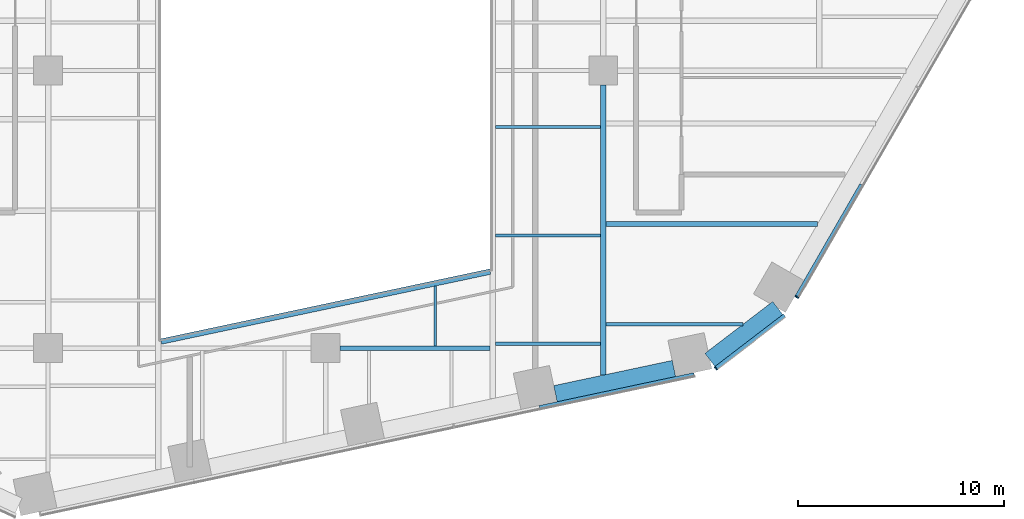
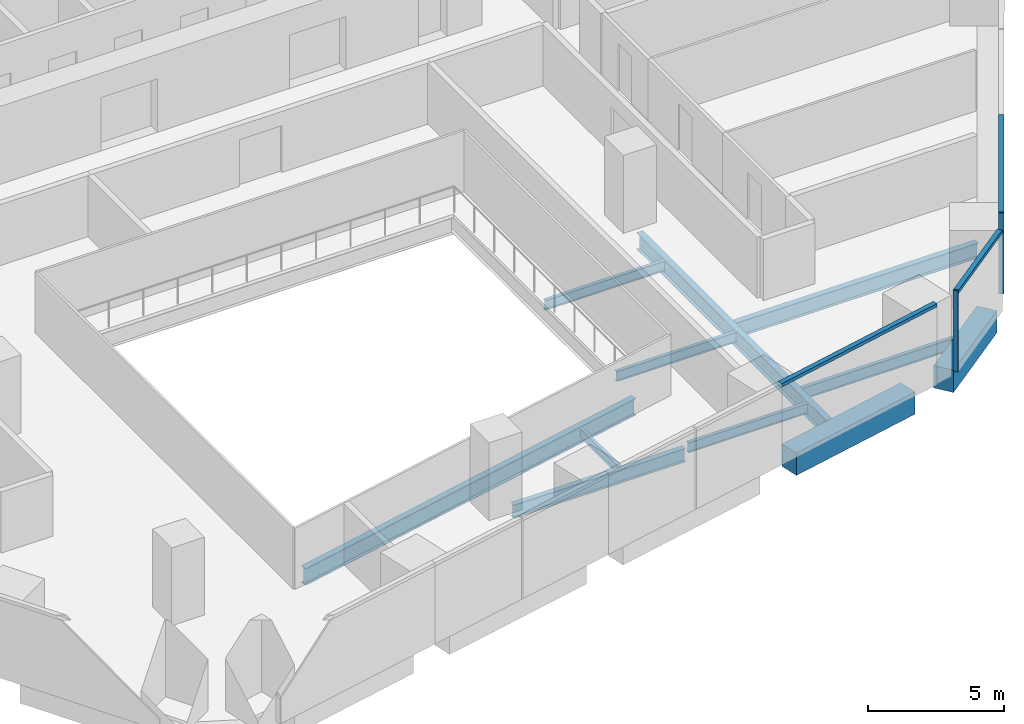
# One storey, part 5 of 20: 11 beams, 5 members, 3 elements without a shape of their own.
"""IFC4 building model written with IfcOpenShell, lengths in metres."""

import ifcopenshell
import ifcopenshell.guid

model = None  # the IFC model being written
_history = None  # IfcOwnerHistory: only IFC2X3 demands one
_inside = {}  # id of a spatial element -> (the spatial element, [elements in it])
_under = {}  # id of a project, library or spatial element -> (it, [spatial elements below it])
_declared = {}  # id of a project -> (the project, [libraries it declares])
_typed = {}  # id of a type object -> (the type object, [elements of that type])
_made_of = {}  # id of a material, layer set ... -> (it, [elements and type objects made of it])


def new_model(schema):
    """Start an empty IFC model of exactly this schema.

    Asked for "IFC4X3", IfcOpenShell would pick the latest addendum, in which some entities
    have other attributes; the version numbers below select the first issue.
    IFC2X3 requires an IfcOwnerHistory on every rooted entity: one is made here for all.
    """
    global model, _history
    if schema == "IFC4X3":
        model = ifcopenshell.file(schema_version=(4, 3, 0, 0))
    else:
        model = ifcopenshell.file(schema=schema)
    _inside.clear()
    _under.clear()
    _declared.clear()
    _typed.clear()
    _made_of.clear()
    _history = None
    if model.schema == "IFC2X3":
        org = make("IfcOrganization", Name="unknown")
        user = make(
            "IfcPersonAndOrganization",
            ThePerson=make("IfcPerson", FamilyName="unknown"),
            TheOrganization=org,
        )
        app = make(
            "IfcApplication",
            ApplicationDeveloper=org,
            Version="unknown",
            ApplicationFullName="unknown",
            ApplicationIdentifier="unknown",
        )
        _history = make(
            "IfcOwnerHistory",
            OwningUser=user,
            OwningApplication=app,
            ChangeAction="ADDED",
            CreationDate=0,
        )
    return model


def make(cls, **values):
    """One entity of the class cls with the attributes given. An attribute that is None is left unset."""
    return model.create_entity(
        cls, **{name: value for name, value in values.items() if value is not None}
    )


def rooted(cls, **values):
    """An entity with a GlobalId (a new one), such as an element, a storey or a relation."""
    return make(cls, GlobalId=ifcopenshell.guid.new(), OwnerHistory=_history, **values)


def si_unit(unit_type, name, prefix=None):
    """IfcSIUnit, for example si_unit("LENGTHUNIT", "METRE", prefix="MILLI")."""
    return make("IfcSIUnit", UnitType=unit_type, Prefix=prefix, Name=name)


def assignment(units):
    """IfcUnitAssignment: the units of a project."""
    return None if units is None else make("IfcUnitAssignment", Units=units)


def point(xyz):
    """IfcCartesianPoint."""
    return None if xyz is None else make("IfcCartesianPoint", Coordinates=xyz)


def direction(xyz):
    """IfcDirection."""
    return None if xyz is None else make("IfcDirection", DirectionRatios=xyz)


def frame(location, z_axis=None, x_axis=None):
    """IfcAxis2Placement3D, a coordinate frame: its origin and axes. An axis left out is left unset."""
    return make(
        "IfcAxis2Placement3D",
        Location=point(location),
        Axis=direction(z_axis),
        RefDirection=direction(x_axis),
    )


def frame_2d(location, x_axis=None):
    """IfcAxis2Placement2D, a coordinate frame in the plane: its origin and x axis."""
    return make(
        "IfcAxis2Placement2D", Location=point(location), RefDirection=direction(x_axis)
    )


def origin():
    """The frame at (0, 0, 0) with its axes left unset."""
    return frame((0.0, 0.0, 0.0))


def origin_2d():
    """The frame at (0, 0) in the plane with its x axis left unset."""
    return frame_2d((0.0, 0.0))


def place(relative_to, where):
    """IfcLocalPlacement: puts the frame where relative to a parent placement (None: the world)."""
    return make(
        "IfcLocalPlacement", PlacementRelTo=relative_to, RelativePlacement=where
    )


def context(
    kind, dimensions, precision=None, world=None, true_north=None, identifier=None
):
    """IfcGeometricRepresentationContext, for example the 3D "Model" context."""
    return make(
        "IfcGeometricRepresentationContext",
        ContextIdentifier=identifier,
        ContextType=kind,
        CoordinateSpaceDimension=dimensions,
        Precision=precision,
        WorldCoordinateSystem=world,
        TrueNorth=true_north,
    )


def subcontext(parent, identifier, kind, view, scale=None):
    """IfcGeometricRepresentationSubContext, for example "Body" below "Model"."""
    return make(
        "IfcGeometricRepresentationSubContext",
        ContextIdentifier=identifier,
        ContextType=kind,
        ParentContext=parent,
        TargetScale=scale,
        TargetView=view,
    )


def project(units=None, contexts=None):
    """IfcProject with its units and contexts."""
    return rooted(
        "IfcProject",
        Name="project",
        RepresentationContexts=contexts,
        UnitsInContext=assignment(units),
    )


def spatial(cls, under=None, at=None, **own):
    """A site, building, storey or space (cls), placed at a placement, below another one or the project."""
    s = rooted(cls, ObjectPlacement=at, **own)
    if under is not None:
        _under.setdefault(under.id(), (under, []))[1].append(s)
    return s


def profile(cls, at=None, kind="AREA", **sizes):
    """A parametric profile (cls). Its sizes go by their IFC names, for example OverallWidth=200.0."""
    return make(cls, ProfileType=kind, Position=at, **sizes)


def rectangle(**sizes):
    """IfcRectangleProfileDef."""
    return profile("IfcRectangleProfileDef", **sizes)


def i_section(**sizes):
    """IfcIShapeProfileDef."""
    return profile("IfcIShapeProfileDef", **sizes)


def extrude(swept, where, along, depth):
    """IfcExtrudedAreaSolid: the profile swept, set in the frame where, extruded along a direction by depth."""
    return make(
        "IfcExtrudedAreaSolid",
        SweptArea=swept,
        Position=where,
        ExtrudedDirection=direction(along),
        Depth=depth,
    )


def shape(context_of_items, identifier, shape_type, items):
    """IfcShapeRepresentation: the items that make up one representation, for example the "Body"."""
    return make(
        "IfcShapeRepresentation",
        ContextOfItems=context_of_items,
        RepresentationIdentifier=identifier,
        RepresentationType=shape_type,
        Items=items,
    )


def material(Name=None, Category=None):
    """IfcMaterial."""
    return make("IfcMaterial", Name=Name, Category=Category)


def layer(
    of_material, thickness, ventilated=None, Name=None, Category=None, Priority=None
):
    """IfcMaterialLayer: one layer of a wall or slab, of a material (None: an air gap)."""
    return make(
        "IfcMaterialLayer",
        Material=of_material,
        LayerThickness=thickness,
        IsVentilated=ventilated,
        Name=Name,
        Category=Category,
        Priority=Priority,
    )


def layer_set(layers, Name=None):
    """IfcMaterialLayerSet."""
    return make("IfcMaterialLayerSet", MaterialLayers=layers, LayerSetName=Name)


def material_profile(
    of_material, cross_section, Name=None, Category=None, Priority=None
):
    """IfcMaterialProfile: a cross section and its material."""
    return make(
        "IfcMaterialProfile",
        Name=Name,
        Material=of_material,
        Profile=cross_section,
        Priority=Priority,
        Category=Category,
    )


def profile_set(profiles, Name=None, composite=None):
    """IfcMaterialProfileSet."""
    return make(
        "IfcMaterialProfileSet",
        Name=Name,
        MaterialProfiles=profiles,
        CompositeProfile=composite,
    )


def made_of(thing, what):
    """Note that an element or type object is made of a material, layer set ...; save() writes the relation."""
    if what is not None:
        _made_of.setdefault(what.id(), (what, []))[1].append(thing)
    return thing


def type_object(cls, material=None, **own):
    """A type object (cls), such as IfcWallType, which elements share."""
    return made_of(rooted(cls, **own), material)


def element(
    cls,
    number,
    at=None,
    inside=None,
    cuts=None,
    type_object=None,
    material=None,
    context=None,
    identifier="Body",
    shape_type=None,
    held_by="IfcProductDefinitionShape",
    body=None,
    shapes=None,
    **own,
):
    """One element of the class cls, such as IfcWall. Its Tag is "e" and its number.

    at: its placement. inside: the storey or other place that contains it. cuts: it is an
    opening in that element (IfcRelVoidsElement). A single representation is given by context,
    identifier, shape_type and body (its items); several are given by shapes. held_by: the class
    of the entity that holds the representations. save() writes the other relations.
    """
    e = rooted(cls, Tag="e%d" % number, ObjectPlacement=at, **own)
    if body is not None:
        shapes = [shape(context, identifier, shape_type, body)]
    if shapes is not None:
        e.Representation = make(held_by, Representations=shapes)
    if inside is not None:
        _inside.setdefault(inside.id(), (inside, []))[1].append(e)
    if cuts is not None:
        rooted(
            "IfcRelVoidsElement", RelatingBuildingElement=cuts, RelatedOpeningElement=e
        )
    if type_object is not None:
        _typed.setdefault(type_object.id(), (type_object, []))[1].append(e)
    return made_of(e, material)


def aggregate(whole, parts):
    """IfcRelAggregates: a whole, such as a stair, and the parts it consists of."""
    return rooted("IfcRelAggregates", RelatingObject=whole, RelatedObjects=parts)


def save(model, path):
    """Write the relations noted so far, then the file.

    IfcRelAggregates (storeys below a building ...), IfcRelContainedInSpatialStructure (elements
    in a storey), IfcRelDefinesByType, IfcRelAssociatesMaterial and IfcRelDeclares: one each for
    every whole, place, type object, material and project.
    """
    for whole, parts in _under.values():
        aggregate(whole, parts)
    for where, things in _inside.values():
        rooted(
            "IfcRelContainedInSpatialStructure",
            RelatedElements=things,
            RelatingStructure=where,
        )
    for kind, things in _typed.values():
        rooted("IfcRelDefinesByType", RelatedObjects=things, RelatingType=kind)
    for what, things in _made_of.values():
        rooted("IfcRelAssociatesMaterial", RelatedObjects=things, RelatingMaterial=what)
    for by, libraries in _declared.values():
        rooted("IfcRelDeclares", RelatingContext=by, RelatedDefinitions=libraries)
    model.write(path)


model = new_model("IFC4")

# Units and contexts
model_context = context("Model", 3, precision=1e-05, world=origin(), true_north=direction((0.0, 1.0)))
body_context = subcontext(model_context, "Body", "Model", "MODEL_VIEW")
ifc_project = project(units=[si_unit("LENGTHUNIT", "METRE"), si_unit("AREAUNIT", "SQUARE_METRE"), si_unit("VOLUMEUNIT", "CUBIC_METRE"), si_unit("PLANEANGLEUNIT", "RADIAN"), si_unit("MASSUNIT", "GRAM", prefix="KILO")], contexts=[model_context])

# Site, building, storey
site_placement = place(None, origin())
site = spatial("IfcSite", under=ifc_project, at=site_placement, CompositionType="ELEMENT")
building_placement = place(site_placement, origin())
building = spatial("IfcBuilding", under=site, at=building_placement, Name="Isthmus Gate Tower", CompositionType="ELEMENT")
storey_placement = place(building_placement, frame((0.0, 0.0, 61.550048828125)))
storey = spatial("IfcBuildingStorey", under=building, at=storey_placement, Name="L13", CompositionType="ELEMENT", Elevation=61.550048828125)

# Curtain wall, member
ifc_material_1 = material(Name="Aluminium, pale champagne anodised", Category="aluminium")
ifc_layer = layer(ifc_material_1, 0.199951171875)
ifc_layer_set = layer_set([ifc_layer], Name="CW-1 UNITISED CURTAIN WALL 200 DEEP")
curtain_wall_type = type_object("IfcCurtainWallType", Name="CW-1 UNITISED CURTAIN WALL 200 DEEP", PredefinedType="NOTDEFINED", material=ifc_layer_set)
curtain_wall_1_placement = place(storey_placement, origin())
curtain_wall_1 = element("IfcCurtainWall", 1, at=curtain_wall_1_placement, inside=storey, type_object=curtain_wall_type, Name="CW-1 S-SE L13", PredefinedType="NOTDEFINED")
ifc_material_2 = material(Name="Aluminium, pale champagne anodised", Category="aluminium")
ifc_material_profile_1 = material_profile(ifc_material_2, rectangle(XDim=0.06005859375, YDim=0.199951171875, at=origin_2d()), Name="60x200")
ifc_profile_set_1 = profile_set([ifc_material_profile_1], Name="Aluminium, pale champagne anodised")
member_type_1 = type_object("IfcMemberType", Name="CW-1 MULLION 60 X 200", PredefinedType="MULLION", material=ifc_profile_set_1)
member_1_placement = place(storey_placement, frame((18.978759765625, -27.982421875, 0.0), z_axis=(0.0, 0.0, 1.0), x_axis=(0.794188594387, 0.607671355706, 0.0)))
member_1 = element("IfcMember", 2, at=member_1_placement, type_object=member_type_1, Name="CW-1 mullion", PredefinedType="MULLION", context=body_context, shape_type="SweptSolid", body=[
    extrude(rectangle(XDim=0.06005859375, YDim=0.199951171875, at=origin_2d()), origin(), (0.0, 0.0, 1.0), 3.64990234375),
])

curtain_wall_2_placement = place(storey_placement, origin())
curtain_wall_2 = element("IfcCurtainWall", 3, at=curtain_wall_2_placement, inside=storey, type_object=curtain_wall_type, Name="CW-1 SE L13", PredefinedType="NOTDEFINED")
member_2_placement = place(storey_placement, frame((22.91357421875, -24.5126953125, 0.0), z_axis=(0.0, 0.0, 1.0), x_axis=(0.5, 0.866025403784, 0.0)))
member_2 = element("IfcMember", 4, at=member_2_placement, type_object=member_type_1, Name="CW-1 mullion", PredefinedType="MULLION", context=body_context, shape_type="SweptSolid", body=[
    extrude(rectangle(XDim=0.06005859375, YDim=0.199951171875, at=origin_2d()), origin(), (0.0, 0.0, 1.0), 3.64990234375),
])

curtain_wall_3_placement = place(storey_placement, origin())
curtain_wall_3 = element("IfcCurtainWall", 5, at=curtain_wall_3_placement, inside=storey, type_object=curtain_wall_type, Name="CW-1 S L13", PredefinedType="NOTDEFINED")
ifc_material_3 = material(Name="Aluminium, pale champagne anodised", Category="aluminium")
ifc_material_profile_2 = material_profile(ifc_material_3, rectangle(XDim=0.199951171875, YDim=0.14990234375, at=origin_2d()), Name="200x150")
ifc_profile_set_2 = profile_set([ifc_material_profile_2], Name="Aluminium, pale champagne anodised")
member_type_2 = type_object("IfcMemberType", Name="CW-1 TRANSOM 200 X 150", PredefinedType="USERDEFINED", material=ifc_profile_set_2)
member_3_placement = place(storey_placement, frame((10.400146484375, -29.8916015625, 3.574951171875), z_axis=(0.978149085817, 0.207904703929, 0.0), x_axis=(-0.207904703929, 0.978149085817, 0.0)))
member_3 = element("IfcMember", 6, at=member_3_placement, type_object=member_type_2, Name="CW-1 transom", ObjectType="TRANSOM", PredefinedType="USERDEFINED", context=body_context, shape_type="SweptSolid", body=[
    extrude(rectangle(XDim=0.199951171875, YDim=0.14990234375, at=origin_2d()), origin(), (0.0, 0.0, 1.0), 7.689208984375),
])
aggregate(curtain_wall_3, [member_3])

# Member
member_4_placement = place(storey_placement, frame((19.002685546875, -27.96435546875, 3.574951171875), z_axis=(0.794175498212, 0.607688471209, 0.0), x_axis=(-0.607688471209, 0.794175498212, 0.0)))
member_4 = element("IfcMember", 7, at=member_4_placement, type_object=member_type_2, Name="CW-1 transom", ObjectType="TRANSOM", PredefinedType="USERDEFINED", context=body_context, shape_type="SweptSolid", body=[
    extrude(rectangle(XDim=0.199951171875, YDim=0.14990234375, at=origin_2d()), origin(), (0.0, 0.0, 1.0), 4.181396484375),
])

aggregate(curtain_wall_1, [member_1, member_4])

member_5_placement = place(storey_placement, frame((22.928466796875, -24.486572265625, 3.574951171875), z_axis=(0.50002426866, 0.866011391814, 0.0), x_axis=(-0.866011391814, 0.50002426866, 0.0)))
member_5 = element("IfcMember", 8, at=member_5_placement, type_object=member_type_2, Name="CW-1 transom", ObjectType="TRANSOM", PredefinedType="USERDEFINED", context=body_context, shape_type="SweptSolid", body=[
    extrude(rectangle(XDim=0.199951171875, YDim=0.14990234375, at=origin_2d()), origin(), (0.0, 0.0, 1.0), 6.278564453125),
])

aggregate(curtain_wall_2, [member_2, member_5])

# Beams
ifc_material_4 = material(Name="Concrete f'c 70 MPa", Category="concrete")
ifc_material_profile_3 = material_profile(ifc_material_4, rectangle(XDim=0.800048828125, YDim=1.0, at=origin_2d()), Name="RC 800X1000")
ifc_profile_set_3 = profile_set([ifc_material_profile_3], Name="Concrete f'c 70 MPa")
beam_type_1 = type_object("IfcBeamType", Name="RC SPANDREL 800 X 1000", PredefinedType="SPANDREL", material=ifc_profile_set_3)
beam_1_placement = place(storey_placement, frame((21.98681640625, -25.051513671875, -0.5), z_axis=(-0.794205941875, -0.607648682949, 0.0), x_axis=(0.607648682949, -0.794205941875, 0.0)))
element("IfcBeam", 9, at=beam_1_placement, inside=storey, type_object=beam_type_1, Name="str-spandrel-L13-09", PredefinedType="SPANDREL", context=body_context, shape_type="SweptSolid", body=[
    extrude(rectangle(XDim=0.800048828125, YDim=1.0, at=origin_2d()), origin(), (0.0, 0.0, 1.0), 4.15234375),
])
beam_2_placement = place(storey_placement, frame((16.937255859375, -27.990966796875, -0.5), z_axis=(-0.97815168619, -0.207892469327, 0.0), x_axis=(0.207892469327, -0.97815168619, 0.0)))
element("IfcBeam", 10, at=beam_2_placement, inside=storey, type_object=beam_type_1, Name="str-spandrel-L13-10", PredefinedType="SPANDREL", context=body_context, shape_type="SweptSolid", body=[
    extrude(rectangle(XDim=0.800048828125, YDim=1.0, at=origin_2d()), origin(), (0.0, 0.0, 1.0), 5.889404296875),
])
ifc_material_5 = material(Name="Structural steel ASTM A992 Gr 50", Category="steel")
ifc_material_profile_4 = material_profile(ifc_material_5, i_section(OverallWidth=0.1396484375, OverallDepth=0.4033203125, WebThickness=0.00634765625, FlangeThickness=0.010986328125, at=origin_2d()), Name="W16X31")
ifc_profile_set_4 = profile_set([ifc_material_profile_4], Name="Structural steel ASTM A992 Gr 50")
beam_type_2 = type_object("IfcBeamType", Name="STEEL FLOOR BEAM W16X31", PredefinedType="JOIST", material=ifc_profile_set_4)
beam_3_placement = place(storey_placement, frame((5.333251953125, -26.8857421875, -0.3515625), z_axis=(0.0, 1.0, 0.0), x_axis=(-1.0, 0.0, 0.0)))
element("IfcBeam", 11, at=beam_3_placement, inside=storey, type_object=beam_type_2, Name="str-beam-L13-17-00", PredefinedType="JOIST", context=body_context, shape_type="SweptSolid", body=[
    extrude(i_section(OverallWidth=0.1396484375, OverallDepth=0.4033203125, WebThickness=0.00634765625, FlangeThickness=0.010986328125, at=origin_2d()), origin(), (0.0, 0.0, 1.0), 2.903076171875),
])
ifc_material_6 = material(Name="Structural steel ASTM A992 Gr 50", Category="steel")
ifc_material_profile_5 = material_profile(ifc_material_6, i_section(OverallWidth=0.15234375, OverallDepth=0.45068359375, WebThickness=0.0078125, FlangeThickness=0.010986328125, at=origin_2d()), Name="W18X35")
ifc_profile_set_5 = profile_set([ifc_material_profile_5], Name="Structural steel ASTM A992 Gr 50")
beam_type_3 = type_object("IfcBeamType", Name="STEEL FLOOR BEAM W18X35", PredefinedType="JOIST", material=ifc_profile_set_5)
for number, where, z_axis, x_axis, name in (
    (12, (8.263427734375, -26.788818359375, -0.37548828125), (1.0, 0.0, 0.0), (0.0, 1.0, 0.0), "str-beam-L13-22-00"),
    (13, (8.263427734375, -21.51513671875, -0.37548828125), (1.0, 0.0, 0.0), (0.0, 1.0, 0.0), "str-beam-L13-22-01"),
    (14, (8.263427734375, -16.241455078125, -0.37548828125), (1.0, 0.0, 0.0), (0.0, 1.0, 0.0), "str-beam-L13-22-02"),
):
    element("IfcBeam", number, at=place(storey_placement, frame(where, z_axis=z_axis, x_axis=x_axis)), inside=storey, type_object=beam_type_3, Name=name, PredefinedType="JOIST", context=body_context, shape_type="SweptSolid", body=[
        extrude(i_section(OverallWidth=0.15234375, OverallDepth=0.45068359375, WebThickness=0.0078125, FlangeThickness=0.010986328125, at=origin_2d()), origin(), (0.0, 0.0, 1.0), 5.103271484375),
    ])
ifc_material_7 = material(Name="Structural steel ASTM A992 Gr 50", Category="steel")
ifc_material_profile_6 = material_profile(ifc_material_7, i_section(OverallWidth=0.1650390625, OverallDepth=0.52392578125, WebThickness=0.009521484375, FlangeThickness=0.010986328125, at=origin_2d()), Name="W21X44")
ifc_profile_set_6 = profile_set([ifc_material_profile_6], Name="Structural steel ASTM A992 Gr 50")
beam_type_4 = type_object("IfcBeamType", Name="STEEL FLOOR BEAM W21X44", PredefinedType="JOIST", material=ifc_profile_set_6)
beam_4_placement = place(storey_placement, frame((13.63330078125, -25.842529296875, -0.412109375), z_axis=(1.0, 0.0, 0.0), x_axis=(0.0, 1.0, 0.0)))
element("IfcBeam", 15, at=beam_4_placement, inside=storey, type_object=beam_type_4, Name="str-beam-L13-28-00", PredefinedType="JOIST", context=body_context, shape_type="SweptSolid", body=[
    extrude(i_section(OverallWidth=0.1650390625, OverallDepth=0.52392578125, WebThickness=0.009521484375, FlangeThickness=0.010986328125, at=origin_2d()), origin(), (0.0, 0.0, 1.0), 6.661376953125),
])
ifc_material_8 = material(Name="Structural steel ASTM A992 Gr 50", Category="steel")
ifc_material_profile_7 = material_profile(ifc_material_8, i_section(OverallWidth=0.25390625, OverallDepth=0.679443359375, WebThickness=0.010986328125, FlangeThickness=0.015869140625, at=origin_2d()), Name="W27X84")
ifc_profile_set_7 = profile_set([ifc_material_profile_7], Name="Structural steel ASTM A992 Gr 50")
beam_type_5 = type_object("IfcBeamType", Name="STEEL FLOOR BEAM W27X84", PredefinedType="JOIST", material=ifc_profile_set_7)
beam_5_placement = place(storey_placement, frame((13.63330078125, -20.958740234375, -0.48974609375), z_axis=(1.0, 0.0, 0.0), x_axis=(0.0, 1.0, 0.0)))
element("IfcBeam", 16, at=beam_5_placement, inside=storey, type_object=beam_type_5, Name="str-beam-L13-28-01", PredefinedType="JOIST", context=body_context, shape_type="SweptSolid", body=[
    extrude(i_section(OverallWidth=0.25390625, OverallDepth=0.679443359375, WebThickness=0.010986328125, FlangeThickness=0.015869140625, at=origin_2d()), origin(), (0.0, 0.0, 1.0), 10.292724609375),
])
ifc_material_9 = material(Name="Structural steel ASTM A992 Gr 50", Category="steel")
ifc_material_profile_8 = material_profile(ifc_material_9, i_section(OverallWidth=0.228515625, OverallDepth=0.603271484375, WebThickness=0.010986328125, FlangeThickness=0.014404296875, at=origin_2d()), Name="W24X68")
ifc_profile_set_8 = profile_set([ifc_material_profile_8], Name="Structural steel ASTM A992 Gr 50")
beam_type_6 = type_object("IfcBeamType", Name="STEEL GIRDER W24X68", PredefinedType="BEAM", material=ifc_profile_set_8)
beam_6_placement = place(storey_placement, frame((0.699951171875, -27.0, -0.45166015625), z_axis=(1.0, 0.0, 0.0), x_axis=(0.0, 1.0, 0.0)))
element("IfcBeam", 17, at=beam_6_placement, inside=storey, type_object=beam_type_6, Name="str-girder-L13-04", PredefinedType="BEAM", context=body_context, shape_type="SweptSolid", body=[
    extrude(i_section(OverallWidth=0.228515625, OverallDepth=0.603271484375, WebThickness=0.010986328125, FlangeThickness=0.014404296875, at=origin_2d()), origin(), (0.0, 0.0, 1.0), 7.300048828125),
])
ifc_material_10 = material(Name="Structural steel ASTM A992 Gr 50", Category="steel")
ifc_material_profile_9 = material_profile(ifc_material_10, i_section(OverallWidth=0.2666015625, OverallDepth=0.7587890625, WebThickness=0.014404296875, FlangeThickness=0.01904296875, at=origin_2d()), Name="W30X108")
ifc_profile_set_9 = profile_set([ifc_material_profile_9], Name="Structural steel ASTM A992 Gr 50")
beam_type_7 = type_object("IfcBeamType", Name="STEEL GIRDER W30X108", PredefinedType="BEAM", material=ifc_profile_set_9)
beam_7_placement = place(storey_placement, frame((13.5, -28.3125, -0.529541015625), z_axis=(0.0, 1.0, 0.0), x_axis=(-1.0, 0.0, 0.0)))
element("IfcBeam", 18, at=beam_7_placement, inside=storey, type_object=beam_type_7, Name="str-girder-L13-31", PredefinedType="BEAM", context=body_context, shape_type="SweptSolid", body=[
    extrude(i_section(OverallWidth=0.2666015625, OverallDepth=0.7587890625, WebThickness=0.014404296875, FlangeThickness=0.01904296875, at=origin_2d()), origin(), (0.0, 0.0, 1.0), 14.112548828125),
])
ifc_material_11 = material(Name="Structural steel ASTM A992 Gr 50", Category="steel")
ifc_material_profile_10 = material_profile(ifc_material_11, i_section(OverallWidth=0.2666015625, OverallDepth=0.7587890625, WebThickness=0.014404296875, FlangeThickness=0.01904296875, at=origin_2d()), Name="W30X108")
ifc_profile_set_10 = profile_set([ifc_material_profile_10], Name="Structural steel ASTM A992 Gr 50")
beam_type_8 = type_object("IfcBeamType", Name="STEEL TRIMMER W30X108", PredefinedType="BEAM", material=ifc_profile_set_10)
beam_8_placement = place(storey_placement, frame((-8.0, -26.680419921875, -0.529541015625), z_axis=(0.978147924985, 0.20791016533, 0.0), x_axis=(-0.20791016533, 0.978147924985, 0.0)))
element("IfcBeam", 19, at=beam_8_placement, inside=storey, type_object=beam_type_8, Name="str-trimmer-L13-03", PredefinedType="BEAM", context=body_context, shape_type="SweptSolid", body=[
    extrude(i_section(OverallWidth=0.2666015625, OverallDepth=0.7587890625, WebThickness=0.014404296875, FlangeThickness=0.01904296875, at=origin_2d()), origin(), (0.0, 0.0, 1.0), 16.357421875),
])

save(model, "model.ifc")
